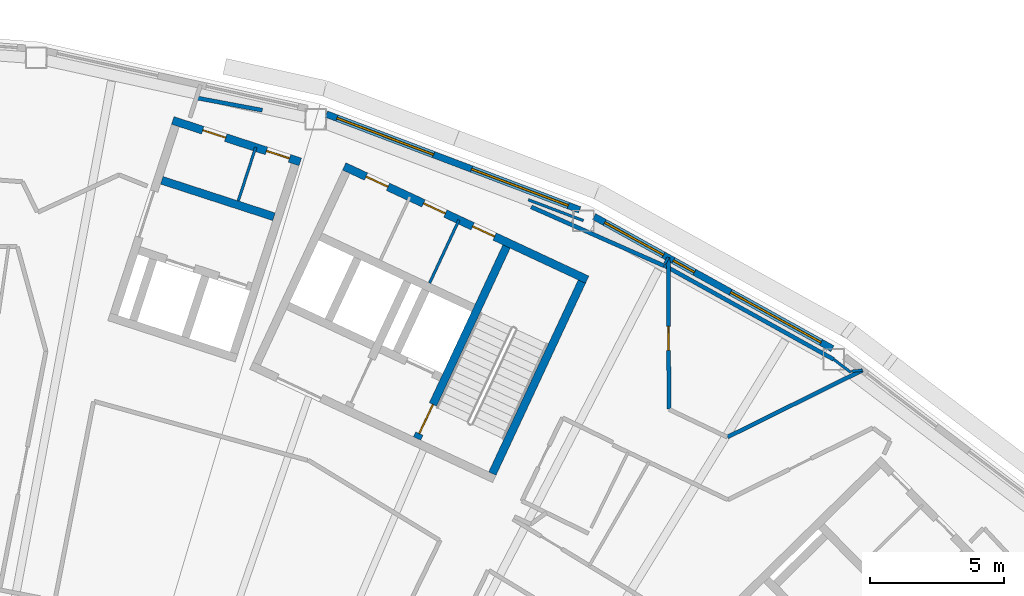
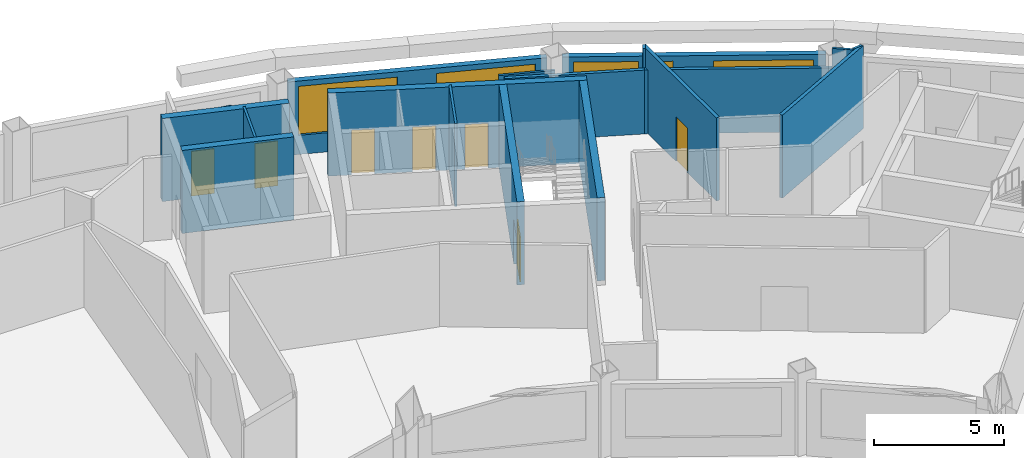
# One storey, part 10 of 13: 18 walls, 7 doors, 5 windows, 12 openings.
"""IFC4 building model written with IfcOpenShell, lengths in metres."""

from ifc_helpers import new_model, si_unit, direction, frame, frame_2d, origin, place, context, subcontext, project, spatial, rectangle, extrude, material, layer, layer_set, type_object, element, fill, save


model = new_model("IFC4")

# Units and contexts
model_context = context("Model", 3, precision=1e-05, world=origin(), true_north=direction((0.0, 1.0)))
body_context = subcontext(model_context, "Body", "Model", "MODEL_VIEW")
ifc_project = project(units=[si_unit("LENGTHUNIT", "METRE"), si_unit("AREAUNIT", "SQUARE_METRE"), si_unit("VOLUMEUNIT", "CUBIC_METRE"), si_unit("PLANEANGLEUNIT", "RADIAN"), si_unit("MASSUNIT", "GRAM", prefix="KILO")], contexts=[model_context])

# Site, building, storey
site_placement = place(None, origin())
site = spatial("IfcSite", under=ifc_project, at=site_placement, CompositionType="ELEMENT")
building_placement = place(site_placement, origin())
building = spatial("IfcBuilding", under=site, at=building_placement, Name="Tuul Gate Civic Tower", CompositionType="ELEMENT")
storey_placement = place(building_placement, frame((0.0, 0.0, 306.800048828125)))
storey = spatial("IfcBuildingStorey", under=building, at=storey_placement, Name="Level 69", CompositionType="ELEMENT", Elevation=306.800048828125)

# Wall, openings, doors
ifc_material_1 = material(Name="Concrete C50/60", Category="concrete")
ifc_layer_1 = layer(ifc_material_1, 0.300048828125)
ifc_layer_set_1 = layer_set([ifc_layer_1], Name="Concrete C50/60")
wall_type_1 = type_object("IfcWallType", Name="Core wall C50/60", PredefinedType="SHEAR", material=ifc_layer_set_1)
wall_1_placement = place(storey_placement, frame((37.993408203125, 0.181884765625, 0.0), z_axis=(0.0, 0.0, 1.0), x_axis=(-0.906310338845, 0.422612789327, 0.0)))
wall_1 = element("IfcWall", 1, at=wall_1_placement, inside=storey, type_object=wall_type_1, Name="Core wall", PredefinedType="SHEAR", context=body_context, shape_type="SweptSolid", body=[
    extrude(rectangle(XDim=9.999755859375, YDim=0.300048828125, at=frame_2d((5.0, 0.0))), origin(), (0.0, 0.0, 1.0), 3.89990234375),
])
opening_1_placement = place(wall_1_placement, frame((3.8125, 0.0, 0.0)))
opening_1 = element("IfcOpeningElement", 2, at=opening_1_placement, cuts=wall_1, Name="Opening Z-D18", PredefinedType="OPENING", context=body_context, shape_type="SweptSolid", body=[
    extrude(rectangle(XDim=0.89990234375, YDim=2.10009765625, at=frame_2d((0.449951171875, 1.050048828125))), frame((0.0, 0.16015625, 0.0), z_axis=(0.0, -1.0, 0.0), x_axis=(1.0, 0.0, 0.0)), (0.0, 0.0, 1.0), 0.320068359375),
])
opening_2_placement = place(wall_1_placement, frame((5.83740234375, 0.0, 0.0)))
opening_2 = element("IfcOpeningElement", 3, at=opening_2_placement, cuts=wall_1, Name="Opening Z-D19", PredefinedType="OPENING", context=body_context, shape_type="SweptSolid", body=[
    extrude(rectangle(XDim=0.89990234375, YDim=2.10009765625, at=frame_2d((0.449951171875, 1.050048828125))), frame((0.0, 0.16015625, 0.0), z_axis=(0.0, -1.0, 0.0), x_axis=(1.0, 0.0, 0.0)), (0.0, 0.0, 1.0), 0.320068359375),
])
opening_3_placement = place(wall_1_placement, frame((8.199951171875, 0.0, 0.0)))
opening_3 = element("IfcOpeningElement", 4, at=opening_3_placement, cuts=wall_1, Name="Opening Z-D20", PredefinedType="OPENING", context=body_context, shape_type="SweptSolid", body=[
    extrude(rectangle(XDim=0.89990234375, YDim=2.10009765625, at=frame_2d((0.449951171875, 1.050048828125))), frame((0.0, 0.16015625, 0.0), z_axis=(0.0, -1.0, 0.0), x_axis=(1.0, 0.0, 0.0)), (0.0, 0.0, 1.0), 0.320068359375),
])
ifc_material_2 = material(Name="Timber door leaf", Category="wood")
door_type_1 = type_object("IfcDoorType", Name="Door D09", OperationType="NOTDEFINED", PredefinedType="DOOR", material=ifc_material_2)
door_1_placement = place(opening_1_placement, origin())
door_1 = element("IfcDoor", 5, at=door_1_placement, inside=storey, type_object=door_type_1, Name="Door Z-D18", OperationType="SINGLE_SWING_LEFT", OverallHeight=2.10009765625, OverallWidth=0.89990234375, PredefinedType="DOOR", context=body_context, shape_type="SweptSolid", body=[
    extrude(rectangle(XDim=0.89990234375, YDim=2.10009765625, at=frame_2d((0.449951171875, 1.050048828125))), frame((0.0, 0.02490234375, 0.0), z_axis=(0.0, -1.0, 0.0), x_axis=(1.0, 0.0, 0.0)), (0.0, 0.0, 1.0), 0.050048828125),
])
fill(opening_1, door_1)
door_2_placement = place(opening_2_placement, origin())
door_2 = element("IfcDoor", 6, at=door_2_placement, inside=storey, type_object=door_type_1, Name="Door Z-D19", OperationType="SINGLE_SWING_LEFT", OverallHeight=2.10009765625, OverallWidth=0.89990234375, PredefinedType="DOOR", context=body_context, shape_type="SweptSolid", body=[
    extrude(rectangle(XDim=0.89990234375, YDim=2.10009765625, at=frame_2d((0.449951171875, 1.050048828125))), frame((0.0, 0.02490234375, 0.0), z_axis=(0.0, -1.0, 0.0), x_axis=(1.0, 0.0, 0.0)), (0.0, 0.0, 1.0), 0.050048828125),
])
fill(opening_2, door_2)
door_3_placement = place(opening_3_placement, origin())
door_3 = element("IfcDoor", 7, at=door_3_placement, inside=storey, type_object=door_type_1, Name="Door Z-D20", OperationType="SINGLE_SWING_RIGHT", OverallHeight=2.10009765625, OverallWidth=0.89990234375, PredefinedType="DOOR", context=body_context, shape_type="SweptSolid", body=[
    extrude(rectangle(XDim=0.89990234375, YDim=2.10009765625, at=frame_2d((0.449951171875, 1.050048828125))), frame((0.0, 0.02490234375, 0.0), z_axis=(0.0, -1.0, 0.0), x_axis=(1.0, 0.0, 0.0)), (0.0, 0.0, 1.0), 0.050048828125),
])
fill(opening_3, door_3)

# Wall
wall_2_placement = place(storey_placement, frame((34.455810546875, -7.05078125, 0.0), z_axis=(0.0, 0.0, 1.0), x_axis=(0.422570768258, 0.906329932096, 0.0)))
element("IfcWall", 8, at=wall_2_placement, inside=storey, type_object=wall_type_1, Name="Core wall", PredefinedType="SHEAR", context=body_context, shape_type="SweptSolid", body=[
    extrude(rectangle(XDim=7.900146484375, YDim=0.300048828125, at=frame_2d((3.9501953125, 0.0))), origin(), (0.0, 0.0, 1.0), 3.89990234375),
])

# Wall, opening, door
wall_3_placement = place(storey_placement, frame((31.646240234375, -5.740478515625, 0.0), z_axis=(0.0, 0.0, 1.0), x_axis=(0.422582604137, 0.906324413596, 0.0)))
wall_3 = element("IfcWall", 9, at=wall_3_placement, inside=storey, type_object=wall_type_1, Name="Core wall", PredefinedType="SHEAR", context=body_context, shape_type="SweptSolid", body=[
    extrude(rectangle(XDim=7.89990234375, YDim=0.300048828125, at=frame_2d((3.949951171875, 0.0))), origin(), (0.0, 0.0, 1.0), 3.89990234375),
])
opening_4_placement = place(wall_3_placement, frame((0.199951171875, 0.0, 0.0)))
opening_4 = element("IfcOpeningElement", 10, at=opening_4_placement, cuts=wall_3, Name="Opening SD-ST-4", PredefinedType="OPENING", context=body_context, shape_type="SweptSolid", body=[
    extrude(rectangle(XDim=1.199951171875, YDim=2.10009765625, at=frame_2d((0.60009765625, 1.050048828125))), frame((0.0, 0.16015625, 0.0), z_axis=(0.0, -1.0, 0.0), x_axis=(1.0, 0.0, 0.0)), (0.0, 0.0, 1.0), 0.320068359375),
])
ifc_material_3 = material(Name="Steel", Category="steel")
door_type_2 = type_object("IfcDoorType", Name="Stair door", OperationType="NOTDEFINED", PredefinedType="DOOR", material=ifc_material_3)
door_4_placement = place(opening_4_placement, origin())
door_4 = element("IfcDoor", 11, at=door_4_placement, inside=storey, type_object=door_type_2, Name="Stair door ST-4", OperationType="SINGLE_SWING_LEFT", OverallHeight=2.10009765625, OverallWidth=1.199951171875, PredefinedType="DOOR", context=body_context, shape_type="SweptSolid", body=[
    extrude(rectangle(XDim=1.199951171875, YDim=2.10009765625, at=frame_2d((0.60009765625, 1.050048828125))), frame((0.0, 0.02490234375, 0.0), z_axis=(0.0, -1.0, 0.0), x_axis=(1.0, 0.0, 0.0)), (0.0, 0.0, 1.0), 0.050048828125),
])
fill(opening_4, door_4)

# Wall
ifc_material_4 = material(Name="Gypsum board partition")
ifc_layer_2 = layer(ifc_material_4, 0.14990234375)
ifc_layer_set_2 = layer_set([ifc_layer_2], Name="Gypsum board partition")
wall_type_2 = type_object("IfcWallType", Name="Corridor wall P150", PredefinedType="PARTITIONING", material=ifc_layer_set_2)
wall_4_placement = place(storey_placement, frame((43.229736328125, -5.68701171875, 0.0), z_axis=(0.0, 0.0, 1.0), x_axis=(0.8960553107, 0.443942428887, 0.0)))
element("IfcWall", 12, at=wall_4_placement, inside=storey, type_object=wall_type_2, Name="p008", PredefinedType="PARTITIONING", context=body_context, shape_type="SweptSolid", body=[
    extrude(rectangle(XDim=5.61767578125, YDim=0.14990234375, at=frame_2d((2.808837890625, 0.0))), origin(), (0.0, 0.0, 1.0), 3.89990234375),
])

# Wall, opening, door
wall_5_placement = place(storey_placement, frame((41.015380859375, 1.009521484375, 0.0), z_axis=(0.0, 0.0, 1.0), x_axis=(0.004751771486, -0.99998871027, 0.0)))
wall_5 = element("IfcWall", 13, at=wall_5_placement, inside=storey, type_object=wall_type_2, Name="p010", PredefinedType="PARTITIONING", context=body_context, shape_type="SweptSolid", body=[
    extrude(rectangle(XDim=5.651611328125, YDim=0.14990234375, at=frame_2d((2.82568359375, 0.0))), origin(), (0.0, 0.0, 1.0), 3.89990234375),
])
opening_5_placement = place(wall_5_placement, frame((2.5654296875, 0.0, 0.0)))
opening_5 = element("IfcOpeningElement", 14, at=opening_5_placement, cuts=wall_5, Name="Opening Z-D02", PredefinedType="OPENING", context=body_context, shape_type="SweptSolid", body=[
    extrude(rectangle(XDim=0.89990234375, YDim=2.10009765625, at=frame_2d((0.449951171875, 1.050048828125))), frame((0.0, 0.0849609375, 0.0), z_axis=(0.0, -1.0, 0.0), x_axis=(1.0, 0.0, 0.0)), (0.0, 0.0, 1.0), 0.169921875),
])
door_5_placement = place(opening_5_placement, origin())
door_5 = element("IfcDoor", 15, at=door_5_placement, inside=storey, type_object=door_type_1, Name="Door Z-D02", OperationType="SINGLE_SWING_LEFT", OverallHeight=2.10009765625, OverallWidth=0.89990234375, PredefinedType="DOOR", context=body_context, shape_type="SweptSolid", body=[
    extrude(rectangle(XDim=0.89990234375, YDim=2.10009765625, at=frame_2d((0.449951171875, 1.050048828125))), frame((0.0, 0.02490234375, 0.0), z_axis=(0.0, -1.0, 0.0), x_axis=(1.0, 0.0, 0.0)), (0.0, 0.0, 1.0), 0.050048828125),
])
fill(opening_5, door_5)

# Walls
ifc_material_5 = material(Name="Gypsum board partition")
ifc_layer_3 = layer(ifc_material_5, 0.14990234375)
ifc_layer_set_3 = layer_set([ifc_layer_3], Name="Gypsum board partition")
wall_type_3 = type_object("IfcWallType", Name="Corridor wall P150 3000 HIGH", PredefinedType="PARTITIONING", material=ifc_layer_set_3)
wall_6_placement = place(storey_placement, frame((40.86962890625, 0.712890625, 0.0), z_axis=(0.0, 0.0, 1.0), x_axis=(0.874525125751, -0.484980210348, 0.0)))
element("IfcWall", 16, at=wall_6_placement, inside=storey, type_object=wall_type_3, Name="p007", PredefinedType="PARTITIONING", context=body_context, shape_type="SweptSolid", body=[
    extrude(rectangle(XDim=7.226806640625, YDim=0.14990234375, at=frame_2d((3.61328125, 0.0))), origin(), (0.0, 0.0, 1.0), 3.0),
])
wall_7_placement = place(storey_placement, frame((35.905517578125, 2.8955078125, 0.0), z_axis=(0.0, 0.0, 1.0), x_axis=(0.914307183638, -0.40502144875, 0.0)))
element("IfcWall", 17, at=wall_7_placement, inside=storey, type_object=wall_type_3, Name="p011", PredefinedType="PARTITIONING", context=body_context, shape_type="SweptSolid", body=[
    extrude(rectangle(XDim=5.416015625, YDim=0.14990234375, at=frame_2d((2.7080078125, 0.0))), origin(), (0.0, 0.0, 1.0), 3.0),
])
wall_8_placement = place(storey_placement, frame((23.41455078125, 6.964599609375, 0.0), z_axis=(0.0, 0.0, 1.0), x_axis=(0.982815842125, -0.184588787493, 0.0)))
element("IfcWall", 18, at=wall_8_placement, inside=storey, type_object=wall_type_3, Name="p013", PredefinedType="PARTITIONING", context=body_context, shape_type="SweptSolid", body=[
    extrude(rectangle(XDim=2.503662109375, YDim=0.14990234375, at=frame_2d((1.251953125, 0.0))), origin(), (0.0, 0.0, 1.0), 3.0),
])

# Wall, openings, windows
ifc_material_6 = material(Name="Precast concrete C40/50", Category="concrete")
ifc_layer_4 = layer(ifc_material_6, 0.25)
ifc_layer_set_4 = layer_set([ifc_layer_4], Name="Precast concrete C40/50")
wall_type_4 = type_object("IfcWallType", Name="External wall", PredefinedType="STANDARD", material=ifc_layer_set_4)
wall_9_placement = place(storey_placement, frame((47.139404296875, -2.39111328125, 0.0), z_axis=(0.0, 0.0, 1.0), x_axis=(-0.874604551877, 0.484836960055, 0.0)))
wall_9 = element("IfcWall", 19, at=wall_9_placement, inside=storey, type_object=wall_type_4, Name="External wall", PredefinedType="STANDARD", context=body_context, shape_type="SweptSolid", body=[
    extrude(rectangle(XDim=10.16162109375, YDim=0.25, at=frame_2d((5.080810546875, 0.0))), origin(), (0.0, 0.0, 1.0), 3.449951171875),
])
opening_6_placement = place(wall_9_placement, frame((0.489501953125, 0.0, 0.89990234375)))
opening_6 = element("IfcOpeningElement", 20, at=opening_6_placement, cuts=wall_9, Name="Opening W22", PredefinedType="OPENING", context=body_context, shape_type="SweptSolid", body=[
    extrude(rectangle(XDim=3.85009765625, YDim=2.300048828125, at=frame_2d((1.925048828125, 1.14990234375))), frame((0.0, 0.135009765625, 0.0), z_axis=(0.0, -1.0, 0.0), x_axis=(1.0, 0.0, 0.0)), (0.0, 0.0, 1.0), 0.27001953125),
])
opening_7_placement = place(wall_9_placement, frame((5.8828125, 0.0, 0.89990234375)))
opening_7 = element("IfcOpeningElement", 21, at=opening_7_placement, cuts=wall_9, Name="Opening W73", PredefinedType="OPENING", context=body_context, shape_type="SweptSolid", body=[
    extrude(rectangle(XDim=0.89990234375, YDim=2.300048828125, at=frame_2d((0.449951171875, 1.14990234375))), frame((0.0, 0.135009765625, 0.0), z_axis=(0.0, -1.0, 0.0), x_axis=(1.0, 0.0, 0.0)), (0.0, 0.0, 1.0), 0.27001953125),
])
opening_8_placement = place(wall_9_placement, frame((7.207763671875, 0.0, 0.89990234375)))
opening_8 = element("IfcOpeningElement", 22, at=opening_8_placement, cuts=wall_9, Name="Opening W38", PredefinedType="OPENING", context=body_context, shape_type="SweptSolid", body=[
    extrude(rectangle(XDim=2.5, YDim=2.300048828125, at=frame_2d((1.25, 1.14990234375))), frame((0.0, 0.135009765625, 0.0), z_axis=(0.0, -1.0, 0.0), x_axis=(1.0, 0.0, 0.0)), (0.0, 0.0, 1.0), 0.27001953125),
])
ifc_material_7 = material(Name="Glass", Category="glass")
window_type_1 = type_object("IfcWindowType", Name="Window 2500 x 2300", PartitioningType="SINGLE_PANEL", PredefinedType="WINDOW", material=ifc_material_7)
window_1_placement = place(opening_8_placement, origin())
window_1 = element("IfcWindow", 23, at=window_1_placement, inside=storey, type_object=window_type_1, Name="Window", OverallHeight=2.300048828125, OverallWidth=2.5, PartitioningType="SINGLE_PANEL", PredefinedType="WINDOW", context=body_context, shape_type="SweptSolid", body=[
    extrude(rectangle(XDim=2.5, YDim=2.300048828125, at=frame_2d((1.25, 1.14990234375))), frame((0.0, 0.030029296875, 0.0), z_axis=(0.0, -1.0, 0.0), x_axis=(1.0, 0.0, 0.0)), (0.0, 0.0, 1.0), 0.06005859375),
])
fill(opening_8, window_1)
ifc_material_8 = material(Name="Glass", Category="glass")
window_type_2 = type_object("IfcWindowType", Name="Window 900 x 2300", PartitioningType="SINGLE_PANEL", PredefinedType="WINDOW", material=ifc_material_8)
window_2_placement = place(opening_7_placement, origin())
window_2 = element("IfcWindow", 24, at=window_2_placement, inside=storey, type_object=window_type_2, Name="Window", OverallHeight=2.300048828125, OverallWidth=0.89990234375, PartitioningType="SINGLE_PANEL", PredefinedType="WINDOW", context=body_context, shape_type="SweptSolid", body=[
    extrude(rectangle(XDim=0.89990234375, YDim=2.300048828125, at=frame_2d((0.449951171875, 1.14990234375))), frame((0.0, 0.030029296875, 0.0), z_axis=(0.0, -1.0, 0.0), x_axis=(1.0, 0.0, 0.0)), (0.0, 0.0, 1.0), 0.06005859375),
])
fill(opening_7, window_2)
ifc_material_9 = material(Name="Glass", Category="glass")
window_type_3 = type_object("IfcWindowType", Name="Window W22 3850 x 2300", PartitioningType="SINGLE_PANEL", PredefinedType="WINDOW", material=ifc_material_9)
window_3_placement = place(opening_6_placement, origin())
window_3 = element("IfcWindow", 25, at=window_3_placement, inside=storey, type_object=window_type_3, Name="Window", OverallHeight=2.300048828125, OverallWidth=3.85009765625, PartitioningType="SINGLE_PANEL", PredefinedType="WINDOW", context=body_context, shape_type="SweptSolid", body=[
    extrude(rectangle(XDim=3.85009765625, YDim=2.300048828125, at=frame_2d((1.925048828125, 1.14990234375))), frame((0.0, 0.030029296875, 0.0), z_axis=(0.0, -1.0, 0.0), x_axis=(1.0, 0.0, 0.0)), (0.0, 0.0, 1.0), 0.06005859375),
])
fill(opening_6, window_3)

wall_10_placement = place(storey_placement, frame((37.715087890625, 2.784912109375, 0.0), z_axis=(0.0, 0.0, 1.0), x_axis=(-0.935360382643, 0.353696133118, 0.0)))
wall_10 = element("IfcWall", 26, at=wall_10_placement, inside=storey, type_object=wall_type_4, Name="External wall", PredefinedType="STANDARD", context=body_context, shape_type="SweptSolid", body=[
    extrude(rectangle(XDim=10.103271484375, YDim=0.25, at=frame_2d((5.0517578125, 0.0))), origin(), (0.0, 0.0, 1.0), 3.449951171875),
])
opening_9_placement = place(wall_10_placement, frame((0.45849609375, 0.0, 0.89990234375)))
opening_9 = element("IfcOpeningElement", 27, at=opening_9_placement, cuts=wall_10, Name="Opening W22", PredefinedType="OPENING", context=body_context, shape_type="SweptSolid", body=[
    extrude(rectangle(XDim=3.85009765625, YDim=2.300048828125, at=frame_2d((1.925048828125, 1.14990234375))), frame((0.0, 0.135009765625, 0.0), z_axis=(0.0, -1.0, 0.0), x_axis=(1.0, 0.0, 0.0)), (0.0, 0.0, 1.0), 0.27001953125),
])
opening_10_placement = place(wall_10_placement, frame((5.830322265625, 0.0, 0.89990234375)))
opening_10 = element("IfcOpeningElement", 28, at=opening_10_placement, cuts=wall_10, Name="Opening W22", PredefinedType="OPENING", context=body_context, shape_type="SweptSolid", body=[
    extrude(rectangle(XDim=3.85009765625, YDim=2.300048828125, at=frame_2d((1.925048828125, 1.14990234375))), frame((0.0, 0.135009765625, 0.0), z_axis=(0.0, -1.0, 0.0), x_axis=(1.0, 0.0, 0.0)), (0.0, 0.0, 1.0), 0.27001953125),
])
window_4_placement = place(opening_9_placement, origin())
window_4 = element("IfcWindow", 29, at=window_4_placement, inside=storey, type_object=window_type_3, Name="Window", OverallHeight=2.300048828125, OverallWidth=3.85009765625, PartitioningType="SINGLE_PANEL", PredefinedType="WINDOW", context=body_context, shape_type="SweptSolid", body=[
    extrude(rectangle(XDim=3.85009765625, YDim=2.300048828125, at=frame_2d((1.925048828125, 1.14990234375))), frame((0.0, 0.030029296875, 0.0), z_axis=(0.0, -1.0, 0.0), x_axis=(1.0, 0.0, 0.0)), (0.0, 0.0, 1.0), 0.06005859375),
])
fill(opening_9, window_4)
window_5_placement = place(opening_10_placement, origin())
window_5 = element("IfcWindow", 30, at=window_5_placement, inside=storey, type_object=window_type_3, Name="Window", OverallHeight=2.300048828125, OverallWidth=3.85009765625, PartitioningType="SINGLE_PANEL", PredefinedType="WINDOW", context=body_context, shape_type="SweptSolid", body=[
    extrude(rectangle(XDim=3.85009765625, YDim=2.300048828125, at=frame_2d((1.925048828125, 1.14990234375))), frame((0.0, 0.030029296875, 0.0), z_axis=(0.0, -1.0, 0.0), x_axis=(1.0, 0.0, 0.0)), (0.0, 0.0, 1.0), 0.06005859375),
])
fill(opening_10, window_5)

# Wall
ifc_material_10 = material(Name="Concrete C40/50", Category="concrete")
ifc_layer_5 = layer(ifc_material_10, 0.300048828125)
ifc_layer_set_5 = layer_set([ifc_layer_5], Name="Concrete C40/50")
wall_type_5 = type_object("IfcWallType", Name="Lift shaft wall C40/50", PredefinedType="STANDARD", material=ifc_layer_set_5)
wall_11_placement = place(storey_placement, frame((26.310546875, 2.529541015625, 0.0), z_axis=(0.0, 0.0, 1.0), x_axis=(-0.951058531764, 0.30901079133, 0.0)))
element("IfcWall", 31, at=wall_11_placement, inside=storey, type_object=wall_type_5, Name="Shaft wall", PredefinedType="STANDARD", context=body_context, shape_type="SweptSolid", body=[
    extrude(rectangle(XDim=4.39990234375, YDim=0.300048828125, at=frame_2d((2.199951171875, 0.0))), origin(), (0.0, 0.0, 1.0), 3.89990234375),
])

# Wall, openings, doors
wall_12_placement = place(storey_placement, frame((27.29150390625, 4.57666015625, 0.0), z_axis=(0.0, 0.0, 1.0), x_axis=(-0.951067792613, 0.308982287281, 0.0)))
wall_12 = element("IfcWall", 32, at=wall_12_placement, inside=storey, type_object=wall_type_5, Name="Shaft wall", PredefinedType="STANDARD", context=body_context, shape_type="SweptSolid", body=[
    extrude(rectangle(XDim=5.0, YDim=0.300048828125, at=frame_2d((2.5, 0.0))), origin(), (0.0, 0.0, 1.0), 3.89990234375),
])
opening_11_placement = place(wall_12_placement, frame((0.425048828125, 0.0, 0.0)))
opening_11 = element("IfcOpeningElement", 33, at=opening_11_placement, cuts=wall_12, Name="Opening Z-D21", PredefinedType="OPENING", context=body_context, shape_type="SweptSolid", body=[
    extrude(rectangle(XDim=0.89990234375, YDim=2.10009765625, at=frame_2d((0.449951171875, 1.050048828125))), frame((0.0, 0.16015625, 0.0), z_axis=(0.0, -1.0, 0.0), x_axis=(1.0, 0.0, 0.0)), (0.0, 0.0, 1.0), 0.320068359375),
])
opening_12_placement = place(wall_12_placement, frame((2.925048828125, 0.0, 0.0)))
opening_12 = element("IfcOpeningElement", 34, at=opening_12_placement, cuts=wall_12, Name="Opening Z-D22", PredefinedType="OPENING", context=body_context, shape_type="SweptSolid", body=[
    extrude(rectangle(XDim=0.89990234375, YDim=2.10009765625, at=frame_2d((0.449951171875, 1.050048828125))), frame((0.0, 0.16015625, 0.0), z_axis=(0.0, -1.0, 0.0), x_axis=(1.0, 0.0, 0.0)), (0.0, 0.0, 1.0), 0.320068359375),
])
door_6_placement = place(opening_11_placement, origin())
door_6 = element("IfcDoor", 35, at=door_6_placement, inside=storey, type_object=door_type_1, Name="Door Z-D21", OperationType="SINGLE_SWING_LEFT", OverallHeight=2.10009765625, OverallWidth=0.89990234375, PredefinedType="DOOR", context=body_context, shape_type="SweptSolid", body=[
    extrude(rectangle(XDim=0.89990234375, YDim=2.10009765625, at=frame_2d((0.449951171875, 1.050048828125))), frame((0.0, 0.02490234375, 0.0), z_axis=(0.0, -1.0, 0.0), x_axis=(1.0, 0.0, 0.0)), (0.0, 0.0, 1.0), 0.050048828125),
])
fill(opening_11, door_6)
door_7_placement = place(opening_12_placement, origin())
door_7 = element("IfcDoor", 36, at=door_7_placement, inside=storey, type_object=door_type_1, Name="Door Z-D22", OperationType="SINGLE_SWING_RIGHT", OverallHeight=2.10009765625, OverallWidth=0.89990234375, PredefinedType="DOOR", context=body_context, shape_type="SweptSolid", body=[
    extrude(rectangle(XDim=0.89990234375, YDim=2.10009765625, at=frame_2d((0.449951171875, 1.050048828125))), frame((0.0, 0.02490234375, 0.0), z_axis=(0.0, -1.0, 0.0), x_axis=(1.0, 0.0, 0.0)), (0.0, 0.0, 1.0), 0.050048828125),
])
fill(opening_12, door_7)

# Walls
ifc_material_11 = material(Name="Gypsum board partition")
ifc_layer_6 = layer(ifc_material_11, 0.10009765625)
ifc_layer_set_6 = layer_set([ifc_layer_6], Name="Gypsum board partition")
wall_type_6 = type_object("IfcWallType", Name="Partition P100", PredefinedType="PARTITIONING", material=ifc_layer_set_6)
wall_13_placement = place(storey_placement, frame((47.190185546875, -2.790771484375, 0.0), z_axis=(0.0, 0.0, 1.0), x_axis=(0.795629127365, -0.605784030565, 0.0)))
element("IfcWall", 37, at=wall_13_placement, inside=storey, type_object=wall_type_6, Name="p085", PredefinedType="PARTITIONING", context=body_context, shape_type="SweptSolid", body=[
    extrude(rectangle(XDim=0.794677734375, YDim=0.10009765625, at=frame_2d((0.3974609375, 0.0))), origin(), (0.0, 0.0, 1.0), 3.89990234375),
])
wall_14_placement = place(storey_placement, frame((48.263427734375, -3.193115234375, 0.0), z_axis=(0.0, 0.0, 1.0), x_axis=(-0.995450141259, -0.095283872023, 0.0)))
element("IfcWall", 38, at=wall_14_placement, inside=storey, type_object=wall_type_6, Name="p087", PredefinedType="PARTITIONING", context=body_context, shape_type="SweptSolid", body=[
    extrude(rectangle(XDim=0.41259765625, YDim=0.10009765625, at=frame_2d((0.206298828125, 0.0))), origin(), (0.0, 0.0, 1.0), 3.89990234375),
])
wall_15_placement = place(storey_placement, frame((41.015380859375, 1.009521484375, 0.0), z_axis=(0.0, 0.0, 1.0), x_axis=(-0.48548031912, -0.874247596364, 0.0)))
element("IfcWall", 39, at=wall_15_placement, inside=storey, type_object=wall_type_6, Name="p088", PredefinedType="PARTITIONING", context=body_context, shape_type="SweptSolid", body=[
    extrude(rectangle(XDim=0.2548828125, YDim=0.10009765625, at=frame_2d((0.12744140625, 0.0))), origin(), (0.0, 0.0, 1.0), 3.89990234375),
])
wall_16_placement = place(storey_placement, frame((32.114013671875, 0.0546875, 0.0), z_axis=(0.0, 0.0, 1.0), x_axis=(0.422556439746, 0.906336612539, 0.0)))
element("IfcWall", 40, at=wall_16_placement, inside=storey, type_object=wall_type_6, Name="bE3-BAND-0", PredefinedType="PARTITIONING", context=body_context, shape_type="SweptSolid", body=[
    extrude(rectangle(XDim=2.599853515625, YDim=0.10009765625, at=frame_2d((1.2998046875, 0.0))), origin(), (0.0, 0.0, 1.0), 3.89990234375),
])
wall_17_placement = place(storey_placement, frame((24.977783203125, 3.1201171875, 0.0), z_axis=(0.0, 0.0, 1.0), x_axis=(0.309104472251, 0.951028088562, 0.0)))
element("IfcWall", 41, at=wall_17_placement, inside=storey, type_object=wall_type_6, Name="bE4-BAND-0", PredefinedType="PARTITIONING", context=body_context, shape_type="SweptSolid", body=[
    extrude(rectangle(XDim=2.10009765625, YDim=0.10009765625, at=frame_2d((1.050048828125, 0.0))), origin(), (0.0, 0.0, 1.0), 3.89990234375),
])
ifc_material_12 = material(Name="Gypsum board partition")
ifc_layer_7 = layer(ifc_material_12, 0.10009765625)
ifc_layer_set_7 = layer_set([ifc_layer_7], Name="Gypsum board partition")
wall_type_7 = type_object("IfcWallType", Name="Partition P100 3000 HIGH", PredefinedType="PARTITIONING", material=ifc_layer_set_7)
wall_18_placement = place(storey_placement, frame((35.798095703125, 3.162353515625, 0.0), z_axis=(0.0, 0.0, 1.0), x_axis=(0.935347899362, -0.35372914378, 0.0)))
element("IfcWall", 42, at=wall_18_placement, inside=storey, type_object=wall_type_7, Name="p086", PredefinedType="PARTITIONING", context=body_context, shape_type="SweptSolid", body=[
    extrude(rectangle(XDim=2.1962890625, YDim=0.10009765625, at=frame_2d((1.09814453125, 0.0))), origin(), (0.0, 0.0, 1.0), 3.0),
])

save(model, "model.ifc")
